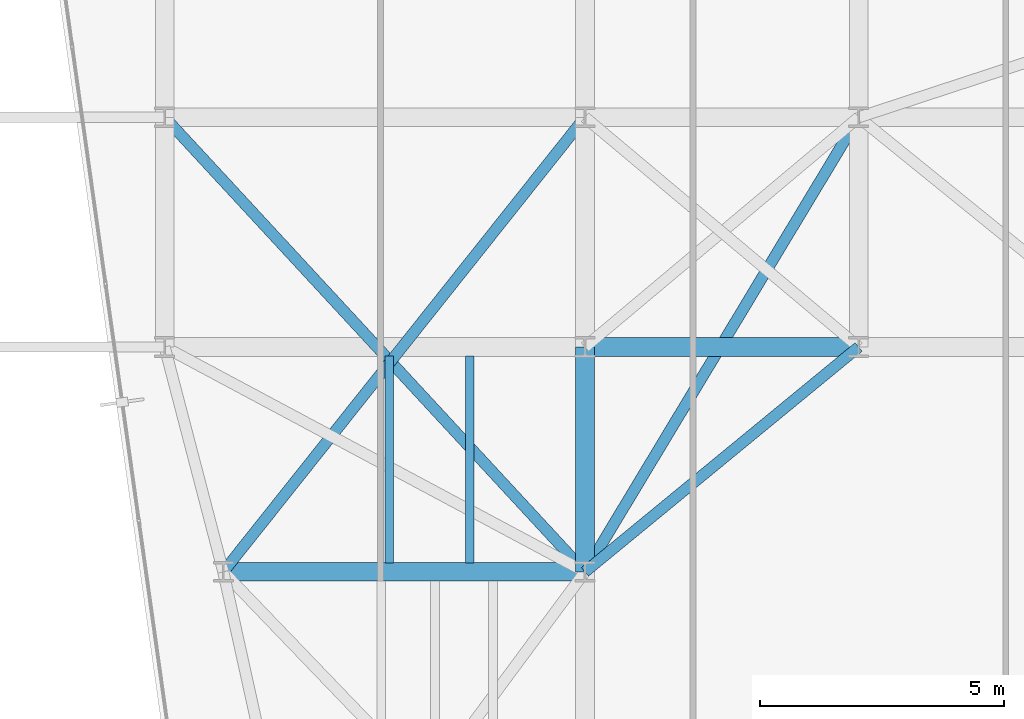
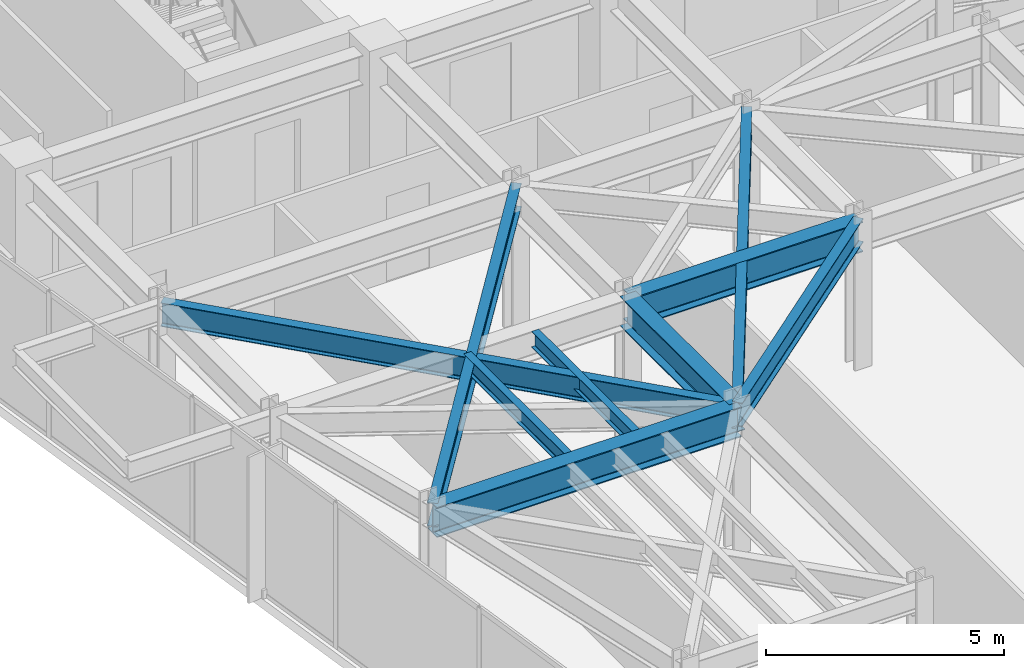
# One storey, part 5 of 26: 9 beams.
"""IFC4 building model written with IfcOpenShell, lengths in metres."""

import ifcopenshell
import ifcopenshell.guid

model = None  # the IFC model being written
_history = None  # IfcOwnerHistory: only IFC2X3 demands one
_inside = {}  # id of a spatial element -> (the spatial element, [elements in it])
_under = {}  # id of a project, library or spatial element -> (it, [spatial elements below it])
_declared = {}  # id of a project -> (the project, [libraries it declares])
_typed = {}  # id of a type object -> (the type object, [elements of that type])
_made_of = {}  # id of a material, layer set ... -> (it, [elements and type objects made of it])


def new_model(schema):
    """Start an empty IFC model of exactly this schema.

    Asked for "IFC4X3", IfcOpenShell would pick the latest addendum, in which some entities
    have other attributes; the version numbers below select the first issue.
    IFC2X3 requires an IfcOwnerHistory on every rooted entity: one is made here for all.
    """
    global model, _history
    if schema == "IFC4X3":
        model = ifcopenshell.file(schema_version=(4, 3, 0, 0))
    else:
        model = ifcopenshell.file(schema=schema)
    _inside.clear()
    _under.clear()
    _declared.clear()
    _typed.clear()
    _made_of.clear()
    _history = None
    if model.schema == "IFC2X3":
        org = make("IfcOrganization", Name="unknown")
        user = make(
            "IfcPersonAndOrganization",
            ThePerson=make("IfcPerson", FamilyName="unknown"),
            TheOrganization=org,
        )
        app = make(
            "IfcApplication",
            ApplicationDeveloper=org,
            Version="unknown",
            ApplicationFullName="unknown",
            ApplicationIdentifier="unknown",
        )
        _history = make(
            "IfcOwnerHistory",
            OwningUser=user,
            OwningApplication=app,
            ChangeAction="ADDED",
            CreationDate=0,
        )
    return model


def make(cls, **values):
    """One entity of the class cls with the attributes given. An attribute that is None is left unset."""
    return model.create_entity(
        cls, **{name: value for name, value in values.items() if value is not None}
    )


def rooted(cls, **values):
    """An entity with a GlobalId (a new one), such as an element, a storey or a relation."""
    return make(cls, GlobalId=ifcopenshell.guid.new(), OwnerHistory=_history, **values)


def si_unit(unit_type, name, prefix=None):
    """IfcSIUnit, for example si_unit("LENGTHUNIT", "METRE", prefix="MILLI")."""
    return make("IfcSIUnit", UnitType=unit_type, Prefix=prefix, Name=name)


def assignment(units):
    """IfcUnitAssignment: the units of a project."""
    return None if units is None else make("IfcUnitAssignment", Units=units)


def point(xyz):
    """IfcCartesianPoint."""
    return None if xyz is None else make("IfcCartesianPoint", Coordinates=xyz)


def direction(xyz):
    """IfcDirection."""
    return None if xyz is None else make("IfcDirection", DirectionRatios=xyz)


def frame(location, z_axis=None, x_axis=None):
    """IfcAxis2Placement3D, a coordinate frame: its origin and axes. An axis left out is left unset."""
    return make(
        "IfcAxis2Placement3D",
        Location=point(location),
        Axis=direction(z_axis),
        RefDirection=direction(x_axis),
    )


def frame_2d(location, x_axis=None):
    """IfcAxis2Placement2D, a coordinate frame in the plane: its origin and x axis."""
    return make(
        "IfcAxis2Placement2D", Location=point(location), RefDirection=direction(x_axis)
    )


def origin():
    """The frame at (0, 0, 0) with its axes left unset."""
    return frame((0.0, 0.0, 0.0))


def origin_2d():
    """The frame at (0, 0) in the plane with its x axis left unset."""
    return frame_2d((0.0, 0.0))


def place(relative_to, where):
    """IfcLocalPlacement: puts the frame where relative to a parent placement (None: the world)."""
    return make(
        "IfcLocalPlacement", PlacementRelTo=relative_to, RelativePlacement=where
    )


def context(
    kind, dimensions, precision=None, world=None, true_north=None, identifier=None
):
    """IfcGeometricRepresentationContext, for example the 3D "Model" context."""
    return make(
        "IfcGeometricRepresentationContext",
        ContextIdentifier=identifier,
        ContextType=kind,
        CoordinateSpaceDimension=dimensions,
        Precision=precision,
        WorldCoordinateSystem=world,
        TrueNorth=true_north,
    )


def subcontext(parent, identifier, kind, view, scale=None):
    """IfcGeometricRepresentationSubContext, for example "Body" below "Model"."""
    return make(
        "IfcGeometricRepresentationSubContext",
        ContextIdentifier=identifier,
        ContextType=kind,
        ParentContext=parent,
        TargetScale=scale,
        TargetView=view,
    )


def project(units=None, contexts=None):
    """IfcProject with its units and contexts."""
    return rooted(
        "IfcProject",
        Name="project",
        RepresentationContexts=contexts,
        UnitsInContext=assignment(units),
    )


def spatial(cls, under=None, at=None, **own):
    """A site, building, storey or space (cls), placed at a placement, below another one or the project."""
    s = rooted(cls, ObjectPlacement=at, **own)
    if under is not None:
        _under.setdefault(under.id(), (under, []))[1].append(s)
    return s


def profile(cls, at=None, kind="AREA", **sizes):
    """A parametric profile (cls). Its sizes go by their IFC names, for example OverallWidth=200.0."""
    return make(cls, ProfileType=kind, Position=at, **sizes)


def i_section(**sizes):
    """IfcIShapeProfileDef."""
    return profile("IfcIShapeProfileDef", **sizes)


def extrude(swept, where, along, depth):
    """IfcExtrudedAreaSolid: the profile swept, set in the frame where, extruded along a direction by depth."""
    return make(
        "IfcExtrudedAreaSolid",
        SweptArea=swept,
        Position=where,
        ExtrudedDirection=direction(along),
        Depth=depth,
    )


def shape(context_of_items, identifier, shape_type, items):
    """IfcShapeRepresentation: the items that make up one representation, for example the "Body"."""
    return make(
        "IfcShapeRepresentation",
        ContextOfItems=context_of_items,
        RepresentationIdentifier=identifier,
        RepresentationType=shape_type,
        Items=items,
    )


def material(Name=None, Category=None):
    """IfcMaterial."""
    return make("IfcMaterial", Name=Name, Category=Category)


def material_profile(
    of_material, cross_section, Name=None, Category=None, Priority=None
):
    """IfcMaterialProfile: a cross section and its material."""
    return make(
        "IfcMaterialProfile",
        Name=Name,
        Material=of_material,
        Profile=cross_section,
        Priority=Priority,
        Category=Category,
    )


def profile_set(profiles, Name=None, composite=None):
    """IfcMaterialProfileSet."""
    return make(
        "IfcMaterialProfileSet",
        Name=Name,
        MaterialProfiles=profiles,
        CompositeProfile=composite,
    )


def made_of(thing, what):
    """Note that an element or type object is made of a material, layer set ...; save() writes the relation."""
    if what is not None:
        _made_of.setdefault(what.id(), (what, []))[1].append(thing)
    return thing


def type_object(cls, material=None, **own):
    """A type object (cls), such as IfcWallType, which elements share."""
    return made_of(rooted(cls, **own), material)


def element(
    cls,
    number,
    at=None,
    inside=None,
    cuts=None,
    type_object=None,
    material=None,
    context=None,
    identifier="Body",
    shape_type=None,
    held_by="IfcProductDefinitionShape",
    body=None,
    shapes=None,
    **own,
):
    """One element of the class cls, such as IfcWall. Its Tag is "e" and its number.

    at: its placement. inside: the storey or other place that contains it. cuts: it is an
    opening in that element (IfcRelVoidsElement). A single representation is given by context,
    identifier, shape_type and body (its items); several are given by shapes. held_by: the class
    of the entity that holds the representations. save() writes the other relations.
    """
    e = rooted(cls, Tag="e%d" % number, ObjectPlacement=at, **own)
    if body is not None:
        shapes = [shape(context, identifier, shape_type, body)]
    if shapes is not None:
        e.Representation = make(held_by, Representations=shapes)
    if inside is not None:
        _inside.setdefault(inside.id(), (inside, []))[1].append(e)
    if cuts is not None:
        rooted(
            "IfcRelVoidsElement", RelatingBuildingElement=cuts, RelatedOpeningElement=e
        )
    if type_object is not None:
        _typed.setdefault(type_object.id(), (type_object, []))[1].append(e)
    return made_of(e, material)


def aggregate(whole, parts):
    """IfcRelAggregates: a whole, such as a stair, and the parts it consists of."""
    return rooted("IfcRelAggregates", RelatingObject=whole, RelatedObjects=parts)


def save(model, path):
    """Write the relations noted so far, then the file.

    IfcRelAggregates (storeys below a building ...), IfcRelContainedInSpatialStructure (elements
    in a storey), IfcRelDefinesByType, IfcRelAssociatesMaterial and IfcRelDeclares: one each for
    every whole, place, type object, material and project.
    """
    for whole, parts in _under.values():
        aggregate(whole, parts)
    for where, things in _inside.values():
        rooted(
            "IfcRelContainedInSpatialStructure",
            RelatedElements=things,
            RelatingStructure=where,
        )
    for kind, things in _typed.values():
        rooted("IfcRelDefinesByType", RelatedObjects=things, RelatingType=kind)
    for what, things in _made_of.values():
        rooted("IfcRelAssociatesMaterial", RelatedObjects=things, RelatingMaterial=what)
    for by, libraries in _declared.values():
        rooted("IfcRelDeclares", RelatingContext=by, RelatedDefinitions=libraries)
    model.write(path)


model = new_model("IFC4")

# Units and contexts
model_context = context("Model", 3, precision=1e-05, world=origin(), true_north=direction((0.0, 1.0)))
body_context = subcontext(model_context, "Body", "Model", "MODEL_VIEW")
ifc_project = project(units=[si_unit("LENGTHUNIT", "METRE"), si_unit("AREAUNIT", "SQUARE_METRE"), si_unit("VOLUMEUNIT", "CUBIC_METRE"), si_unit("PLANEANGLEUNIT", "RADIAN"), si_unit("MASSUNIT", "GRAM", prefix="KILO")], contexts=[model_context])

# Site, building, storey
site_placement = place(None, origin())
site = spatial("IfcSite", under=ifc_project, at=site_placement, CompositionType="ELEMENT")
building_placement = place(site_placement, origin())
building = spatial("IfcBuilding", under=site, at=building_placement, Name="Kravanh Interchange Tower", CompositionType="ELEMENT")
storey_placement = place(building_placement, frame((0.0, 0.0, 180.5)))
storey = spatial("IfcBuildingStorey", under=building, at=storey_placement, Name="L43", CompositionType="ELEMENT", Elevation=180.5)

# Beams
ifc_material_1 = material(Name="Structural Steel S355", Category="steel")
ifc_material_profile_1 = material_profile(ifc_material_1, i_section(OverallWidth=0.381103515625, OverallDepth=0.77294921875, WebThickness=0.0166015625, FlangeThickness=0.027099609375, FilletRadius=0.02490234375, at=origin_2d()), Name="W30X173")
ifc_profile_set_1 = profile_set([ifc_material_profile_1], Name="Structural Steel S355")
beam_type_1 = type_object("IfcBeamType", Name="Floor Beam W30X173 Structural Steel S355", PredefinedType="BEAM", material=ifc_profile_set_1)
beam_1_placement = place(storey_placement, frame((27.199951171875, 26.800048828125, 3.368408203125), z_axis=(0.0, -1.0, 0.0), x_axis=(1.0, 0.0, 0.0)))
element("IfcBeam", 1, at=beam_1_placement, inside=storey, type_object=beam_type_1, Name="L43 Primary Floor Girder 37", PredefinedType="BEAM", context=body_context, shape_type="SweptSolid", body=[
    extrude(i_section(OverallWidth=0.381103515625, OverallDepth=0.77294921875, WebThickness=0.0166015625, FlangeThickness=0.027099609375, FilletRadius=0.02490234375, at=origin_2d()), origin(), (0.0, 0.0, 1.0), 4.60009765625),
])
beam_2_placement = place(storey_placement, frame((27.199951171875, 26.800048828125, 3.368408203125), z_axis=(1.0, 0.0, 0.0), x_axis=(0.0, 1.0, 0.0)))
element("IfcBeam", 2, at=beam_2_placement, inside=storey, type_object=beam_type_1, Name="L43 Primary Floor Girder 39", PredefinedType="BEAM", context=body_context, shape_type="SweptSolid", body=[
    extrude(i_section(OverallWidth=0.381103515625, OverallDepth=0.77294921875, WebThickness=0.0166015625, FlangeThickness=0.027099609375, FilletRadius=0.02490234375, at=origin_2d()), origin(), (0.0, 0.0, 1.0), 5.60009765625),
])
beam_3_placement = place(storey_placement, frame((19.800048828125, 22.199951171875, 3.368408203125), z_axis=(1.0, 0.0, 0.0), x_axis=(0.0, 1.0, 0.0)))
element("IfcBeam", 3, at=beam_3_placement, inside=storey, type_object=beam_type_1, Name="L43 Primary Floor Girder 91", PredefinedType="BEAM", context=body_context, shape_type="SweptSolid", body=[
    extrude(i_section(OverallWidth=0.381103515625, OverallDepth=0.77294921875, WebThickness=0.0166015625, FlangeThickness=0.027099609375, FilletRadius=0.02490234375, at=origin_2d()), origin(), (0.0, 0.0, 1.0), 7.39990234375),
])
ifc_material_2 = material(Name="Structural Steel S355", Category="steel")
ifc_material_profile_2 = material_profile(ifc_material_2, i_section(OverallWidth=0.177978515625, OverallDepth=0.406005859375, WebThickness=0.0078125, FlangeThickness=0.0126953125, FilletRadius=0.01611328125, at=origin_2d()), Name="W16X40")
ifc_profile_set_2 = profile_set([ifc_material_profile_2], Name="Structural Steel S355")
beam_type_2 = type_object("IfcBeamType", Name="Floor Joist W16X40 Structural Steel S355", PredefinedType="JOIST", material=ifc_profile_set_2)
for number, where, z_axis, x_axis, name in (
    (4, (23.195068359375, 22.385498046875, 3.552001953125), (0.0, 1.0, 0.0), (-1.0, 0.0, 0.0), "L43 Secondary Floor Joist 8"),
    (5, (24.842041015625, 22.385498046875, 3.552001953125), (0.0, 1.0, 0.0), (-1.0, 0.0, 0.0), "L43 Secondary Floor Joist 9"),
):
    element("IfcBeam", number, at=place(storey_placement, frame(where, z_axis=z_axis, x_axis=x_axis)), inside=storey, type_object=beam_type_2, Name=name, PredefinedType="JOIST", context=body_context, shape_type="SweptSolid", body=[
        extrude(i_section(OverallWidth=0.177978515625, OverallDepth=0.406005859375, WebThickness=0.0078125, FlangeThickness=0.0126953125, FilletRadius=0.01611328125, at=origin_2d()), origin(), (0.0, 0.0, 1.0), 4.22900390625),
    ])
ifc_material_3 = material(Name="Structural Steel S355", Category="steel")
ifc_material_profile_3 = material_profile(ifc_material_3, i_section(OverallWidth=0.22802734375, OverallDepth=0.60791015625, WebThickness=0.01123046875, FlangeThickness=0.017333984375, FilletRadius=0.02197265625, at=origin_2d()), Name="W24X76")
ifc_profile_set_3 = profile_set([ifc_material_profile_3], Name="Structural Steel S355")
beam_type_3 = type_object("IfcBeamType", Name="Floor Spandrel W24X76 Structural Steel S355", PredefinedType="SPANDREL", material=ifc_profile_set_3)
beam_4_placement = place(storey_placement, frame((32.800048828125, 26.800048828125, 3.450927734375), z_axis=(-0.772725074305, -0.634740860147, 0.0), x_axis=(0.634740860147, -0.772725074305, 0.0)))
element("IfcBeam", 6, at=beam_4_placement, inside=storey, type_object=beam_type_3, Name="L43 Perimeter Spandrel 43", PredefinedType="SPANDREL", context=body_context, shape_type="SweptSolid", body=[
    extrude(i_section(OverallWidth=0.22802734375, OverallDepth=0.60791015625, WebThickness=0.01123046875, FlangeThickness=0.017333984375, FilletRadius=0.02197265625, at=origin_2d()), origin(), (0.0, 0.0, 1.0), 7.247314453125),
])
beam_5_placement = place(storey_placement, frame((18.60009765625, 31.5, 3.450927734375), z_axis=(0.678927458783, -0.734205356634, 0.0), x_axis=(0.734205356634, 0.678927458783, 0.0)))
element("IfcBeam", 7, at=beam_5_placement, inside=storey, type_object=beam_type_3, Name="L43 Perimeter Spandrel 63", PredefinedType="SPANDREL", context=body_context, shape_type="SweptSolid", body=[
    extrude(i_section(OverallWidth=0.22802734375, OverallDepth=0.60791015625, WebThickness=0.01123046875, FlangeThickness=0.017333984375, FilletRadius=0.02197265625, at=origin_2d()), origin(), (0.0, 0.0, 1.0), 12.666748046875),
])
beam_6_placement = place(storey_placement, frame((27.199951171875, 31.5, 3.450927734375), z_axis=(-0.622633646541, -0.782513477324, 0.0), x_axis=(0.782513477324, -0.622633646541, 0.0)))
element("IfcBeam", 8, at=beam_6_placement, inside=storey, type_object=beam_type_3, Name="L43 Perimeter Spandrel 66", PredefinedType="SPANDREL", context=body_context, shape_type="SweptSolid", body=[
    extrude(i_section(OverallWidth=0.22802734375, OverallDepth=0.60791015625, WebThickness=0.01123046875, FlangeThickness=0.017333984375, FilletRadius=0.02197265625, at=origin_2d()), origin(), (0.0, 0.0, 1.0), 11.884765625),
])
beam_7_placement = place(storey_placement, frame((32.800048828125, 31.5, 3.450927734375), z_axis=(-0.515854375109, -0.856676288735, 0.0), x_axis=(0.856676288735, -0.515854375109, 0.0)))
element("IfcBeam", 9, at=beam_7_placement, inside=storey, type_object=beam_type_3, Name="L43 Perimeter Spandrel 69", PredefinedType="SPANDREL", context=body_context, shape_type="SweptSolid", body=[
    extrude(i_section(OverallWidth=0.22802734375, OverallDepth=0.60791015625, WebThickness=0.01123046875, FlangeThickness=0.017333984375, FilletRadius=0.02197265625, at=origin_2d()), origin(), (0.0, 0.0, 1.0), 10.85595703125),
])

save(model, "model.ifc")
